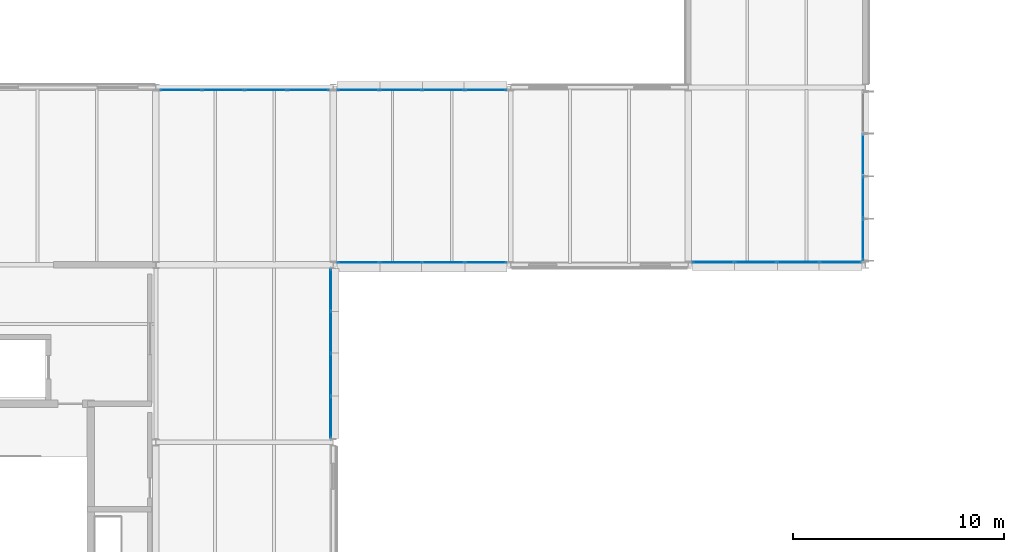
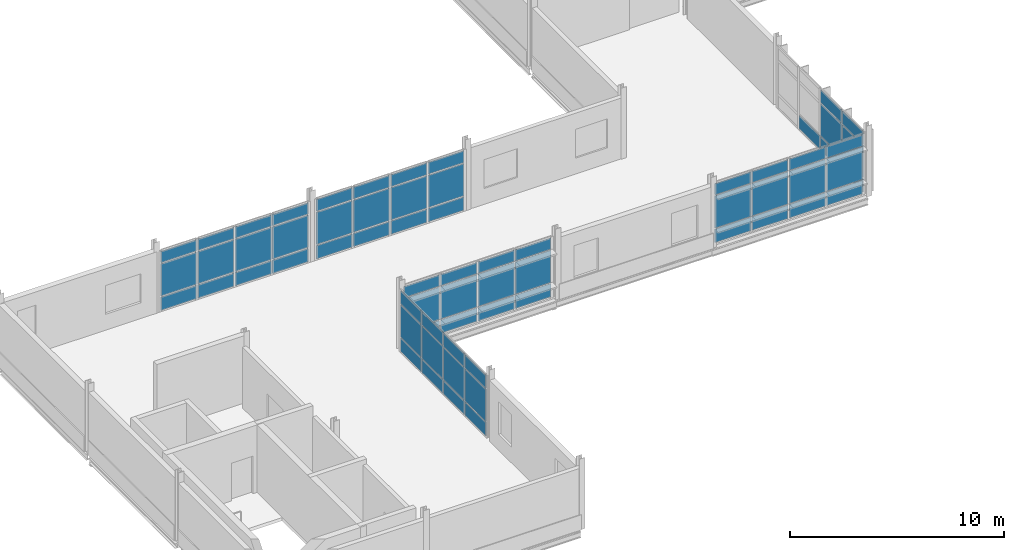
# One storey, part 74 of 103: 67 plates, 6 elements without a shape of their own.
"""IFC4 building model written with IfcOpenShell, lengths in metres."""

from ifc_helpers import new_model, si_unit, direction, frame, origin, origin_2d, place, context, subcontext, project, spatial, rectangle, extrude, material, layer, layer_set, type_object, element, aggregate, save


model = new_model("IFC4")

# Units and contexts
model_context = context("Model", 3, precision=1e-05, world=origin(), true_north=direction((0.0, 1.0)))
body_context = subcontext(model_context, "Body", "Model", "MODEL_VIEW")
ifc_project = project(units=[si_unit("LENGTHUNIT", "METRE"), si_unit("AREAUNIT", "SQUARE_METRE"), si_unit("VOLUMEUNIT", "CUBIC_METRE"), si_unit("PLANEANGLEUNIT", "RADIAN"), si_unit("MASSUNIT", "GRAM", prefix="KILO")], contexts=[model_context])

# Site, building, storey
site_placement = place(None, origin())
site = spatial("IfcSite", under=ifc_project, at=site_placement, CompositionType="ELEMENT")
building_placement = place(site_placement, origin())
building = spatial("IfcBuilding", under=site, at=building_placement, Name="Mersafa Astral City Hall", CompositionType="ELEMENT")
storey_placement = place(building_placement, frame((0.0, 0.0, 18.0)))
storey = spatial("IfcBuildingStorey", under=building, at=storey_placement, Name="L04", CompositionType="ELEMENT", Elevation=18.0)

# Curtain wall, plates
ifc_material_1 = material(Name="Anodised bronze aluminium framing", Category="aluminium")
curtain_wall_type_1 = type_object("IfcCurtainWallType", Name="ENV-CW-3", PredefinedType="USERDEFINED", material=ifc_material_1)
curtain_wall_1_placement = place(storey_placement, origin())
curtain_wall_1 = element("IfcCurtainWall", 1, at=curtain_wall_1_placement, inside=storey, type_object=curtain_wall_type_1, Name="L04 Unitised solar curtain wall 200", ObjectType="UNITISED CURTAIN WALL", PredefinedType="USERDEFINED")
ifc_material_2 = material(Name="Solar control low-e double glazing", Category="glass")
ifc_layer_1 = layer(ifc_material_2, 0.028076171875, Name="Solar control low-e double glazing")
ifc_layer_set_1 = layer_set([ifc_layer_1], Name="Solar control low-e double glazing — ENV-CW-PNL-GLZ-1")
plate_type_1 = type_object("IfcPlateType", Name="ENV-CW-PNL-GLZ-1", PredefinedType="CURTAIN_PANEL", material=ifc_layer_set_1)
plate_1_placement = place(storey_placement, frame((26.386474609375, 92.52001953125, 0.05810546875), z_axis=(0.0, 0.0, 1.0), x_axis=(1.0, 0.0, 0.0)))
plate_1 = element("IfcPlate", 2, at=plate_1_placement, type_object=plate_type_1, Name="CW-3 panel 1.1", PredefinedType="CURTAIN_PANEL", context=body_context, shape_type="SweptSolid", body=[
    extrude(rectangle(XDim=1.928955078125, YDim=0.028076171875, at=origin_2d()), origin(), (0.0, 0.0, 1.0), 0.761962890625),
])
plate_2_placement = place(storey_placement, frame((26.386474609375, 92.52001953125, 0.8798828125), z_axis=(0.0, 0.0, 1.0), x_axis=(1.0, 0.0, 0.0)))
plate_2 = element("IfcPlate", 3, at=plate_2_placement, type_object=plate_type_1, Name="CW-3 panel 1.2", PredefinedType="CURTAIN_PANEL", context=body_context, shape_type="SweptSolid", body=[
    extrude(rectangle(XDim=1.928955078125, YDim=0.028076171875, at=origin_2d()), origin(), (0.0, 0.0, 1.0), 1.840087890625),
])
plate_3_placement = place(storey_placement, frame((26.386474609375, 92.52001953125, 2.780029296875), z_axis=(0.0, 0.0, 1.0), x_axis=(1.0, 0.0, 0.0)))
plate_3 = element("IfcPlate", 4, at=plate_3_placement, type_object=plate_type_1, Name="CW-3 panel 1.3", PredefinedType="CURTAIN_PANEL", context=body_context, shape_type="SweptSolid", body=[
    extrude(rectangle(XDim=1.928955078125, YDim=0.028076171875, at=origin_2d()), origin(), (0.0, 0.0, 1.0), 0.64697265625),
])
plate_4_placement = place(storey_placement, frame((28.390380859375, 92.52001953125, 0.05810546875), z_axis=(0.0, 0.0, 1.0), x_axis=(1.0, 0.0, 0.0)))
plate_4 = element("IfcPlate", 5, at=plate_4_placement, type_object=plate_type_1, Name="CW-3 panel 2.1", PredefinedType="CURTAIN_PANEL", context=body_context, shape_type="SweptSolid", body=[
    extrude(rectangle(XDim=1.958984375, YDim=0.028076171875, at=origin_2d()), origin(), (0.0, 0.0, 1.0), 0.761962890625),
])
plate_5_placement = place(storey_placement, frame((28.390380859375, 92.52001953125, 0.8798828125), z_axis=(0.0, 0.0, 1.0), x_axis=(1.0, 0.0, 0.0)))
plate_5 = element("IfcPlate", 6, at=plate_5_placement, type_object=plate_type_1, Name="CW-3 panel 2.2", PredefinedType="CURTAIN_PANEL", context=body_context, shape_type="SweptSolid", body=[
    extrude(rectangle(XDim=1.958984375, YDim=0.028076171875, at=origin_2d()), origin(), (0.0, 0.0, 1.0), 1.840087890625),
])
plate_6_placement = place(storey_placement, frame((28.390380859375, 92.52001953125, 2.780029296875), z_axis=(0.0, 0.0, 1.0), x_axis=(1.0, 0.0, 0.0)))
plate_6 = element("IfcPlate", 7, at=plate_6_placement, type_object=plate_type_1, Name="CW-3 panel 2.3", PredefinedType="CURTAIN_PANEL", context=body_context, shape_type="SweptSolid", body=[
    extrude(rectangle(XDim=1.958984375, YDim=0.028076171875, at=origin_2d()), origin(), (0.0, 0.0, 1.0), 0.64697265625),
])
plate_7_placement = place(storey_placement, frame((30.409423828125, 92.52001953125, 0.05810546875), z_axis=(0.0, 0.0, 1.0), x_axis=(1.0, 0.0, 0.0)))
plate_7 = element("IfcPlate", 8, at=plate_7_placement, type_object=plate_type_1, Name="CW-3 panel 3.1", PredefinedType="CURTAIN_PANEL", context=body_context, shape_type="SweptSolid", body=[
    extrude(rectangle(XDim=1.958984375, YDim=0.028076171875, at=origin_2d()), origin(), (0.0, 0.0, 1.0), 0.761962890625),
])
plate_8_placement = place(storey_placement, frame((30.409423828125, 92.52001953125, 0.8798828125), z_axis=(0.0, 0.0, 1.0), x_axis=(1.0, 0.0, 0.0)))
plate_8 = element("IfcPlate", 9, at=plate_8_placement, type_object=plate_type_1, Name="CW-3 panel 3.2", PredefinedType="CURTAIN_PANEL", context=body_context, shape_type="SweptSolid", body=[
    extrude(rectangle(XDim=1.958984375, YDim=0.028076171875, at=origin_2d()), origin(), (0.0, 0.0, 1.0), 1.840087890625),
])
plate_9_placement = place(storey_placement, frame((30.409423828125, 92.52001953125, 2.780029296875), z_axis=(0.0, 0.0, 1.0), x_axis=(1.0, 0.0, 0.0)))
plate_9 = element("IfcPlate", 10, at=plate_9_placement, type_object=plate_type_1, Name="CW-3 panel 3.3", PredefinedType="CURTAIN_PANEL", context=body_context, shape_type="SweptSolid", body=[
    extrude(rectangle(XDim=1.958984375, YDim=0.028076171875, at=origin_2d()), origin(), (0.0, 0.0, 1.0), 0.64697265625),
])
plate_10_placement = place(storey_placement, frame((32.41357421875, 92.52001953125, 0.05810546875), z_axis=(0.0, 0.0, 1.0), x_axis=(1.0, 0.0, 0.0)))
plate_10 = element("IfcPlate", 11, at=plate_10_placement, type_object=plate_type_1, Name="CW-3 panel 4.1", PredefinedType="CURTAIN_PANEL", context=body_context, shape_type="SweptSolid", body=[
    extrude(rectangle(XDim=1.928955078125, YDim=0.028076171875, at=origin_2d()), origin(), (0.0, 0.0, 1.0), 0.761962890625),
])
plate_11_placement = place(storey_placement, frame((32.41357421875, 92.52001953125, 0.8798828125), z_axis=(0.0, 0.0, 1.0), x_axis=(1.0, 0.0, 0.0)))
plate_11 = element("IfcPlate", 12, at=plate_11_placement, type_object=plate_type_1, Name="CW-3 panel 4.2", PredefinedType="CURTAIN_PANEL", context=body_context, shape_type="SweptSolid", body=[
    extrude(rectangle(XDim=1.928955078125, YDim=0.028076171875, at=origin_2d()), origin(), (0.0, 0.0, 1.0), 1.840087890625),
])
plate_12_placement = place(storey_placement, frame((32.41357421875, 92.52001953125, 2.780029296875), z_axis=(0.0, 0.0, 1.0), x_axis=(1.0, 0.0, 0.0)))
plate_12 = element("IfcPlate", 13, at=plate_12_placement, type_object=plate_type_1, Name="CW-3 panel 4.3", PredefinedType="CURTAIN_PANEL", context=body_context, shape_type="SweptSolid", body=[
    extrude(rectangle(XDim=1.928955078125, YDim=0.028076171875, at=origin_2d()), origin(), (0.0, 0.0, 1.0), 0.64697265625),
])
aggregate(curtain_wall_1, [plate_1, plate_2, plate_3, plate_4, plate_5, plate_6, plate_7, plate_8, plate_9, plate_10, plate_11, plate_12])

curtain_wall_type_2 = type_object("IfcCurtainWallType", Name="ENV-CW-6", PredefinedType="USERDEFINED", material=ifc_material_1)
curtain_wall_2_placement = place(storey_placement, origin())
curtain_wall_2 = element("IfcCurtainWall", 14, at=curtain_wall_2_placement, inside=storey, type_object=curtain_wall_type_2, Name="L04 Unitised solar curtain wall 197", ObjectType="UNITISED CURTAIN WALL", PredefinedType="USERDEFINED")
ifc_layer_2 = layer(ifc_material_2, 0.031982421875, Name="Solar control low-e double glazing")
ifc_layer_set_2 = layer_set([ifc_layer_2], Name="Solar control low-e double glazing — ENV-CW-PNL-GLZ-2")
plate_type_2 = type_object("IfcPlateType", Name="ENV-CW-PNL-GLZ-2", PredefinedType="CURTAIN_PANEL", material=ifc_layer_set_2)
plate_13_placement = place(storey_placement, frame((32.41357421875, 100.679931640625, 0.05810546875), z_axis=(0.0, 0.0, 1.0), x_axis=(-1.0, 0.0, 0.0)))
plate_13 = element("IfcPlate", 15, at=plate_13_placement, type_object=plate_type_2, Name="CW-6 panel 1.1", PredefinedType="CURTAIN_PANEL", context=body_context, shape_type="SweptSolid", body=[
    extrude(rectangle(XDim=1.928955078125, YDim=0.031982421875, at=origin_2d()), origin(), (0.0, 0.0, 1.0), 0.761962890625),
])
plate_14_placement = place(storey_placement, frame((32.41357421875, 100.679931640625, 0.8798828125), z_axis=(0.0, 0.0, 1.0), x_axis=(-1.0, 0.0, 0.0)))
plate_14 = element("IfcPlate", 16, at=plate_14_placement, type_object=plate_type_2, Name="CW-6 panel 1.2", PredefinedType="CURTAIN_PANEL", context=body_context, shape_type="SweptSolid", body=[
    extrude(rectangle(XDim=1.928955078125, YDim=0.031982421875, at=origin_2d()), origin(), (0.0, 0.0, 1.0), 1.840087890625),
])
plate_15_placement = place(storey_placement, frame((32.41357421875, 100.679931640625, 2.77978515625), z_axis=(0.0, 0.0, 1.0), x_axis=(-1.0, 0.0, 0.0)))
plate_15 = element("IfcPlate", 17, at=plate_15_placement, type_object=plate_type_2, Name="CW-6 panel 1.3", PredefinedType="CURTAIN_PANEL", context=body_context, shape_type="SweptSolid", body=[
    extrude(rectangle(XDim=1.928955078125, YDim=0.031982421875, at=origin_2d()), origin(), (0.0, 0.0, 1.0), 0.677001953125),
])
plate_16_placement = place(storey_placement, frame((30.409423828125, 100.679931640625, 0.05810546875), z_axis=(0.0, 0.0, 1.0), x_axis=(-1.0, 0.0, 0.0)))
plate_16 = element("IfcPlate", 18, at=plate_16_placement, type_object=plate_type_2, Name="CW-6 panel 2.1", PredefinedType="CURTAIN_PANEL", context=body_context, shape_type="SweptSolid", body=[
    extrude(rectangle(XDim=1.958984375, YDim=0.031982421875, at=origin_2d()), origin(), (0.0, 0.0, 1.0), 0.761962890625),
])
plate_17_placement = place(storey_placement, frame((30.409423828125, 100.679931640625, 0.8798828125), z_axis=(0.0, 0.0, 1.0), x_axis=(-1.0, 0.0, 0.0)))
plate_17 = element("IfcPlate", 19, at=plate_17_placement, type_object=plate_type_2, Name="CW-6 panel 2.2", PredefinedType="CURTAIN_PANEL", context=body_context, shape_type="SweptSolid", body=[
    extrude(rectangle(XDim=1.958984375, YDim=0.031982421875, at=origin_2d()), origin(), (0.0, 0.0, 1.0), 1.840087890625),
])
plate_18_placement = place(storey_placement, frame((30.409423828125, 100.679931640625, 2.77978515625), z_axis=(0.0, 0.0, 1.0), x_axis=(-1.0, 0.0, 0.0)))
plate_18 = element("IfcPlate", 20, at=plate_18_placement, type_object=plate_type_2, Name="CW-6 panel 2.3", PredefinedType="CURTAIN_PANEL", context=body_context, shape_type="SweptSolid", body=[
    extrude(rectangle(XDim=1.958984375, YDim=0.031982421875, at=origin_2d()), origin(), (0.0, 0.0, 1.0), 0.677001953125),
])
plate_19_placement = place(storey_placement, frame((28.390380859375, 100.679931640625, 0.05810546875), z_axis=(0.0, 0.0, 1.0), x_axis=(-1.0, 0.0, 0.0)))
plate_19 = element("IfcPlate", 21, at=plate_19_placement, type_object=plate_type_2, Name="CW-6 panel 3.1", PredefinedType="CURTAIN_PANEL", context=body_context, shape_type="SweptSolid", body=[
    extrude(rectangle(XDim=1.958984375, YDim=0.031982421875, at=origin_2d()), origin(), (0.0, 0.0, 1.0), 0.761962890625),
])
plate_20_placement = place(storey_placement, frame((28.390380859375, 100.679931640625, 0.8798828125), z_axis=(0.0, 0.0, 1.0), x_axis=(-1.0, 0.0, 0.0)))
plate_20 = element("IfcPlate", 22, at=plate_20_placement, type_object=plate_type_2, Name="CW-6 panel 3.2", PredefinedType="CURTAIN_PANEL", context=body_context, shape_type="SweptSolid", body=[
    extrude(rectangle(XDim=1.958984375, YDim=0.031982421875, at=origin_2d()), origin(), (0.0, 0.0, 1.0), 1.840087890625),
])
plate_21_placement = place(storey_placement, frame((28.390380859375, 100.679931640625, 2.77978515625), z_axis=(0.0, 0.0, 1.0), x_axis=(-1.0, 0.0, 0.0)))
plate_21 = element("IfcPlate", 23, at=plate_21_placement, type_object=plate_type_2, Name="CW-6 panel 3.3", PredefinedType="CURTAIN_PANEL", context=body_context, shape_type="SweptSolid", body=[
    extrude(rectangle(XDim=1.958984375, YDim=0.031982421875, at=origin_2d()), origin(), (0.0, 0.0, 1.0), 0.677001953125),
])
plate_22_placement = place(storey_placement, frame((26.386474609375, 100.679931640625, 0.05810546875), z_axis=(0.0, 0.0, 1.0), x_axis=(-1.0, 0.0, 0.0)))
plate_22 = element("IfcPlate", 24, at=plate_22_placement, type_object=plate_type_2, Name="CW-6 panel 4.1", PredefinedType="CURTAIN_PANEL", context=body_context, shape_type="SweptSolid", body=[
    extrude(rectangle(XDim=1.928955078125, YDim=0.031982421875, at=origin_2d()), origin(), (0.0, 0.0, 1.0), 0.761962890625),
])
plate_23_placement = place(storey_placement, frame((26.386474609375, 100.679931640625, 0.8798828125), z_axis=(0.0, 0.0, 1.0), x_axis=(-1.0, 0.0, 0.0)))
plate_23 = element("IfcPlate", 25, at=plate_23_placement, type_object=plate_type_2, Name="CW-6 panel 4.2", PredefinedType="CURTAIN_PANEL", context=body_context, shape_type="SweptSolid", body=[
    extrude(rectangle(XDim=1.928955078125, YDim=0.031982421875, at=origin_2d()), origin(), (0.0, 0.0, 1.0), 1.840087890625),
])
plate_24_placement = place(storey_placement, frame((26.386474609375, 100.679931640625, 2.77978515625), z_axis=(0.0, 0.0, 1.0), x_axis=(-1.0, 0.0, 0.0)))
plate_24 = element("IfcPlate", 26, at=plate_24_placement, type_object=plate_type_2, Name="CW-6 panel 4.3", PredefinedType="CURTAIN_PANEL", context=body_context, shape_type="SweptSolid", body=[
    extrude(rectangle(XDim=1.928955078125, YDim=0.031982421875, at=origin_2d()), origin(), (0.0, 0.0, 1.0), 0.677001953125),
])
aggregate(curtain_wall_2, [plate_13, plate_14, plate_15, plate_16, plate_17, plate_18, plate_19, plate_20, plate_21, plate_22, plate_23, plate_24])

curtain_wall_type_3 = type_object("IfcCurtainWallType", Name="ENV-CW-4", PredefinedType="USERDEFINED", material=ifc_material_1)
curtain_wall_3_placement = place(storey_placement, origin())
curtain_wall_3 = element("IfcCurtainWall", 27, at=curtain_wall_3_placement, inside=storey, type_object=curtain_wall_type_3, Name="L04 Unitised solar curtain wall 201", ObjectType="UNITISED CURTAIN WALL", PredefinedType="USERDEFINED")
plate_25_placement = place(storey_placement, frame((43.1865234375, 92.52001953125, 0.05810546875), z_axis=(0.0, 0.0, 1.0), x_axis=(1.0, 0.0, 0.0)))
plate_25 = element("IfcPlate", 28, at=plate_25_placement, type_object=plate_type_2, Name="CW-4 panel 1.1", PredefinedType="CURTAIN_PANEL", context=body_context, shape_type="SweptSolid", body=[
    extrude(rectangle(XDim=1.928955078125, YDim=0.031982421875, at=origin_2d()), origin(), (0.0, 0.0, 1.0), 0.761962890625),
])
plate_26_placement = place(storey_placement, frame((43.1865234375, 92.52001953125, 0.8798828125), z_axis=(0.0, 0.0, 1.0), x_axis=(1.0, 0.0, 0.0)))
plate_26 = element("IfcPlate", 29, at=plate_26_placement, type_object=plate_type_2, Name="CW-4 panel 1.2", PredefinedType="CURTAIN_PANEL", context=body_context, shape_type="SweptSolid", body=[
    extrude(rectangle(XDim=1.928955078125, YDim=0.031982421875, at=origin_2d()), origin(), (0.0, 0.0, 1.0), 1.840087890625),
])
plate_27_placement = place(storey_placement, frame((43.1865234375, 92.52001953125, 2.780029296875), z_axis=(0.0, 0.0, 1.0), x_axis=(1.0, 0.0, 0.0)))
plate_27 = element("IfcPlate", 30, at=plate_27_placement, type_object=plate_type_2, Name="CW-4 panel 1.3", PredefinedType="CURTAIN_PANEL", context=body_context, shape_type="SweptSolid", body=[
    extrude(rectangle(XDim=1.928955078125, YDim=0.031982421875, at=origin_2d()), origin(), (0.0, 0.0, 1.0), 0.64697265625),
])
plate_28_placement = place(storey_placement, frame((45.1904296875, 92.52001953125, 0.05810546875), z_axis=(0.0, 0.0, 1.0), x_axis=(1.0, 0.0, 0.0)))
plate_28 = element("IfcPlate", 31, at=plate_28_placement, type_object=plate_type_2, Name="CW-4 panel 2.1", PredefinedType="CURTAIN_PANEL", context=body_context, shape_type="SweptSolid", body=[
    extrude(rectangle(XDim=1.958984375, YDim=0.031982421875, at=origin_2d()), origin(), (0.0, 0.0, 1.0), 0.761962890625),
])
plate_29_placement = place(storey_placement, frame((45.1904296875, 92.52001953125, 0.8798828125), z_axis=(0.0, 0.0, 1.0), x_axis=(1.0, 0.0, 0.0)))
plate_29 = element("IfcPlate", 32, at=plate_29_placement, type_object=plate_type_2, Name="CW-4 panel 2.2", PredefinedType="CURTAIN_PANEL", context=body_context, shape_type="SweptSolid", body=[
    extrude(rectangle(XDim=1.958984375, YDim=0.031982421875, at=origin_2d()), origin(), (0.0, 0.0, 1.0), 1.840087890625),
])
plate_30_placement = place(storey_placement, frame((45.1904296875, 92.52001953125, 2.780029296875), z_axis=(0.0, 0.0, 1.0), x_axis=(1.0, 0.0, 0.0)))
plate_30 = element("IfcPlate", 33, at=plate_30_placement, type_object=plate_type_2, Name="CW-4 panel 2.3", PredefinedType="CURTAIN_PANEL", context=body_context, shape_type="SweptSolid", body=[
    extrude(rectangle(XDim=1.958984375, YDim=0.031982421875, at=origin_2d()), origin(), (0.0, 0.0, 1.0), 0.64697265625),
])
plate_31_placement = place(storey_placement, frame((47.20947265625, 92.52001953125, 0.05810546875), z_axis=(0.0, 0.0, 1.0), x_axis=(1.0, 0.0, 0.0)))
plate_31 = element("IfcPlate", 34, at=plate_31_placement, type_object=plate_type_2, Name="CW-4 panel 3.1", PredefinedType="CURTAIN_PANEL", context=body_context, shape_type="SweptSolid", body=[
    extrude(rectangle(XDim=1.958984375, YDim=0.031982421875, at=origin_2d()), origin(), (0.0, 0.0, 1.0), 0.761962890625),
])
plate_32_placement = place(storey_placement, frame((47.20947265625, 92.52001953125, 0.8798828125), z_axis=(0.0, 0.0, 1.0), x_axis=(1.0, 0.0, 0.0)))
plate_32 = element("IfcPlate", 35, at=plate_32_placement, type_object=plate_type_2, Name="CW-4 panel 3.2", PredefinedType="CURTAIN_PANEL", context=body_context, shape_type="SweptSolid", body=[
    extrude(rectangle(XDim=1.958984375, YDim=0.031982421875, at=origin_2d()), origin(), (0.0, 0.0, 1.0), 1.840087890625),
])
plate_33_placement = place(storey_placement, frame((47.20947265625, 92.52001953125, 2.780029296875), z_axis=(0.0, 0.0, 1.0), x_axis=(1.0, 0.0, 0.0)))
plate_33 = element("IfcPlate", 36, at=plate_33_placement, type_object=plate_type_2, Name="CW-4 panel 3.3", PredefinedType="CURTAIN_PANEL", context=body_context, shape_type="SweptSolid", body=[
    extrude(rectangle(XDim=1.958984375, YDim=0.031982421875, at=origin_2d()), origin(), (0.0, 0.0, 1.0), 0.64697265625),
])
plate_34_placement = place(storey_placement, frame((49.21337890625, 92.52001953125, 0.05810546875), z_axis=(0.0, 0.0, 1.0), x_axis=(1.0, 0.0, 0.0)))
plate_34 = element("IfcPlate", 37, at=plate_34_placement, type_object=plate_type_2, Name="CW-4 panel 4.1", PredefinedType="CURTAIN_PANEL", context=body_context, shape_type="SweptSolid", body=[
    extrude(rectangle(XDim=1.928955078125, YDim=0.031982421875, at=origin_2d()), origin(), (0.0, 0.0, 1.0), 0.761962890625),
])
plate_35_placement = place(storey_placement, frame((49.21337890625, 92.52001953125, 0.8798828125), z_axis=(0.0, 0.0, 1.0), x_axis=(1.0, 0.0, 0.0)))
plate_35 = element("IfcPlate", 38, at=plate_35_placement, type_object=plate_type_2, Name="CW-4 panel 4.2", PredefinedType="CURTAIN_PANEL", context=body_context, shape_type="SweptSolid", body=[
    extrude(rectangle(XDim=1.928955078125, YDim=0.031982421875, at=origin_2d()), origin(), (0.0, 0.0, 1.0), 1.840087890625),
])
plate_36_placement = place(storey_placement, frame((49.21337890625, 92.52001953125, 2.780029296875), z_axis=(0.0, 0.0, 1.0), x_axis=(1.0, 0.0, 0.0)))
plate_36 = element("IfcPlate", 39, at=plate_36_placement, type_object=plate_type_2, Name="CW-4 panel 4.3", PredefinedType="CURTAIN_PANEL", context=body_context, shape_type="SweptSolid", body=[
    extrude(rectangle(XDim=1.928955078125, YDim=0.031982421875, at=origin_2d()), origin(), (0.0, 0.0, 1.0), 0.64697265625),
])
aggregate(curtain_wall_3, [plate_25, plate_26, plate_27, plate_28, plate_29, plate_30, plate_31, plate_32, plate_33, plate_34, plate_35, plate_36])

curtain_wall_type_4 = type_object("IfcCurtainWallType", Name="ENV-CW-1", PredefinedType="USERDEFINED", material=ifc_material_1)
curtain_wall_4_placement = place(storey_placement, origin())
curtain_wall_4 = element("IfcCurtainWall", 40, at=curtain_wall_4_placement, inside=storey, type_object=curtain_wall_type_4, Name="L04 Unitised solar curtain wall 198", ObjectType="UNITISED CURTAIN WALL", PredefinedType="USERDEFINED")
ifc_layer_3 = layer(ifc_material_2, 0.035888671875, Name="Solar control low-e double glazing")
ifc_layer_set_3 = layer_set([ifc_layer_3], Name="Solar control low-e double glazing — ENV-CW-PNL-GLZ-3")
plate_type_3 = type_object("IfcPlateType", Name="ENV-CW-PNL-GLZ-3", PredefinedType="CURTAIN_PANEL", material=ifc_layer_set_3)
plate_37_placement = place(storey_placement, frame((24.013427734375, 100.679931640625, 0.05810546875), z_axis=(0.0, 0.0, 1.0), x_axis=(-1.0, 0.0, 0.0)))
plate_37 = element("IfcPlate", 41, at=plate_37_placement, type_object=plate_type_3, Name="CW-1 panel 1.1", PredefinedType="CURTAIN_PANEL", context=body_context, shape_type="SweptSolid", body=[
    extrude(rectangle(XDim=1.928955078125, YDim=0.035888671875, at=origin_2d()), origin(), (0.0, 0.0, 1.0), 0.761962890625),
])
plate_38_placement = place(storey_placement, frame((24.013427734375, 100.679931640625, 0.8798828125), z_axis=(0.0, 0.0, 1.0), x_axis=(-1.0, 0.0, 0.0)))
plate_38 = element("IfcPlate", 42, at=plate_38_placement, type_object=plate_type_3, Name="CW-1 panel 1.2", PredefinedType="CURTAIN_PANEL", context=body_context, shape_type="SweptSolid", body=[
    extrude(rectangle(XDim=1.928955078125, YDim=0.035888671875, at=origin_2d()), origin(), (0.0, 0.0, 1.0), 1.840087890625),
])
plate_39_placement = place(storey_placement, frame((24.013427734375, 100.679931640625, 2.780029296875), z_axis=(0.0, 0.0, 1.0), x_axis=(-1.0, 0.0, 0.0)))
plate_39 = element("IfcPlate", 43, at=plate_39_placement, type_object=plate_type_3, Name="CW-1 panel 1.3", PredefinedType="CURTAIN_PANEL", context=body_context, shape_type="SweptSolid", body=[
    extrude(rectangle(XDim=1.928955078125, YDim=0.035888671875, at=origin_2d()), origin(), (0.0, 0.0, 1.0), 0.64697265625),
])
plate_40_placement = place(storey_placement, frame((22.009521484375, 100.679931640625, 0.05810546875), z_axis=(0.0, 0.0, 1.0), x_axis=(-1.0, 0.0, 0.0)))
plate_40 = element("IfcPlate", 44, at=plate_40_placement, type_object=plate_type_3, Name="CW-1 panel 2.1", PredefinedType="CURTAIN_PANEL", context=body_context, shape_type="SweptSolid", body=[
    extrude(rectangle(XDim=1.958984375, YDim=0.035888671875, at=origin_2d()), origin(), (0.0, 0.0, 1.0), 0.761962890625),
])
plate_41_placement = place(storey_placement, frame((22.009521484375, 100.679931640625, 0.8798828125), z_axis=(0.0, 0.0, 1.0), x_axis=(-1.0, 0.0, 0.0)))
plate_41 = element("IfcPlate", 45, at=plate_41_placement, type_object=plate_type_3, Name="CW-1 panel 2.2", PredefinedType="CURTAIN_PANEL", context=body_context, shape_type="SweptSolid", body=[
    extrude(rectangle(XDim=1.958984375, YDim=0.035888671875, at=origin_2d()), origin(), (0.0, 0.0, 1.0), 1.840087890625),
])
plate_42_placement = place(storey_placement, frame((22.009521484375, 100.679931640625, 2.780029296875), z_axis=(0.0, 0.0, 1.0), x_axis=(-1.0, 0.0, 0.0)))
plate_42 = element("IfcPlate", 46, at=plate_42_placement, type_object=plate_type_3, Name="CW-1 panel 2.3", PredefinedType="CURTAIN_PANEL", context=body_context, shape_type="SweptSolid", body=[
    extrude(rectangle(XDim=1.958984375, YDim=0.035888671875, at=origin_2d()), origin(), (0.0, 0.0, 1.0), 0.64697265625),
])
plate_43_placement = place(storey_placement, frame((19.990478515625, 100.679931640625, 0.05810546875), z_axis=(0.0, 0.0, 1.0), x_axis=(-1.0, 0.0, 0.0)))
plate_43 = element("IfcPlate", 47, at=plate_43_placement, type_object=plate_type_3, Name="CW-1 panel 3.1", PredefinedType="CURTAIN_PANEL", context=body_context, shape_type="SweptSolid", body=[
    extrude(rectangle(XDim=1.958984375, YDim=0.035888671875, at=origin_2d()), origin(), (0.0, 0.0, 1.0), 0.761962890625),
])
plate_44_placement = place(storey_placement, frame((19.990478515625, 100.679931640625, 0.8798828125), z_axis=(0.0, 0.0, 1.0), x_axis=(-1.0, 0.0, 0.0)))
plate_44 = element("IfcPlate", 48, at=plate_44_placement, type_object=plate_type_3, Name="CW-1 panel 3.2", PredefinedType="CURTAIN_PANEL", context=body_context, shape_type="SweptSolid", body=[
    extrude(rectangle(XDim=1.958984375, YDim=0.035888671875, at=origin_2d()), origin(), (0.0, 0.0, 1.0), 1.840087890625),
])
plate_45_placement = place(storey_placement, frame((19.990478515625, 100.679931640625, 2.780029296875), z_axis=(0.0, 0.0, 1.0), x_axis=(-1.0, 0.0, 0.0)))
plate_45 = element("IfcPlate", 49, at=plate_45_placement, type_object=plate_type_3, Name="CW-1 panel 3.3", PredefinedType="CURTAIN_PANEL", context=body_context, shape_type="SweptSolid", body=[
    extrude(rectangle(XDim=1.958984375, YDim=0.035888671875, at=origin_2d()), origin(), (0.0, 0.0, 1.0), 0.64697265625),
])
plate_46_placement = place(storey_placement, frame((17.986572265625, 100.679931640625, 0.05810546875), z_axis=(0.0, 0.0, 1.0), x_axis=(-1.0, 0.0, 0.0)))
plate_46 = element("IfcPlate", 50, at=plate_46_placement, type_object=plate_type_3, Name="CW-1 panel 4.1", PredefinedType="CURTAIN_PANEL", context=body_context, shape_type="SweptSolid", body=[
    extrude(rectangle(XDim=1.928955078125, YDim=0.035888671875, at=origin_2d()), origin(), (0.0, 0.0, 1.0), 0.761962890625),
])
plate_47_placement = place(storey_placement, frame((17.986572265625, 100.679931640625, 0.8798828125), z_axis=(0.0, 0.0, 1.0), x_axis=(-1.0, 0.0, 0.0)))
plate_47 = element("IfcPlate", 51, at=plate_47_placement, type_object=plate_type_3, Name="CW-1 panel 4.2", PredefinedType="CURTAIN_PANEL", context=body_context, shape_type="SweptSolid", body=[
    extrude(rectangle(XDim=1.928955078125, YDim=0.035888671875, at=origin_2d()), origin(), (0.0, 0.0, 1.0), 1.840087890625),
])
plate_48_placement = place(storey_placement, frame((17.986572265625, 100.679931640625, 2.780029296875), z_axis=(0.0, 0.0, 1.0), x_axis=(-1.0, 0.0, 0.0)))
plate_48 = element("IfcPlate", 52, at=plate_48_placement, type_object=plate_type_3, Name="CW-1 panel 4.3", PredefinedType="CURTAIN_PANEL", context=body_context, shape_type="SweptSolid", body=[
    extrude(rectangle(XDim=1.928955078125, YDim=0.035888671875, at=origin_2d()), origin(), (0.0, 0.0, 1.0), 0.64697265625),
])
aggregate(curtain_wall_4, [plate_37, plate_38, plate_39, plate_40, plate_41, plate_42, plate_43, plate_44, plate_45, plate_46, plate_47, plate_48])

curtain_wall_type_5 = type_object("IfcCurtainWallType", Name="ENV-CW-5", PredefinedType="USERDEFINED", material=ifc_material_1)
curtain_wall_5_placement = place(storey_placement, origin())
curtain_wall_5 = element("IfcCurtainWall", 53, at=curtain_wall_5_placement, inside=storey, type_object=curtain_wall_type_5, Name="L04 Unitised solar curtain wall 202", ObjectType="UNITISED CURTAIN WALL", PredefinedType="USERDEFINED")
plate_49_placement = place(storey_placement, frame((50.280029296875, 93.58642578125, 0.05810546875), z_axis=(0.0, 0.0, 1.0), x_axis=(0.0, 1.0, 0.0)))
plate_49 = element("IfcPlate", 54, at=plate_49_placement, type_object=plate_type_3, Name="CW-5 panel 1.1", PredefinedType="CURTAIN_PANEL", context=body_context, shape_type="SweptSolid", body=[
    extrude(rectangle(XDim=1.928955078125, YDim=0.035888671875, at=origin_2d()), origin(), (0.0, 0.0, 1.0), 0.761962890625),
])
plate_50_placement = place(storey_placement, frame((50.280029296875, 93.58642578125, 0.8798828125), z_axis=(0.0, 0.0, 1.0), x_axis=(0.0, 1.0, 0.0)))
plate_50 = element("IfcPlate", 55, at=plate_50_placement, type_object=plate_type_3, Name="CW-5 panel 1.2", PredefinedType="CURTAIN_PANEL", context=body_context, shape_type="SweptSolid", body=[
    extrude(rectangle(XDim=1.928955078125, YDim=0.035888671875, at=origin_2d()), origin(), (0.0, 0.0, 1.0), 1.840087890625),
])
plate_51_placement = place(storey_placement, frame((50.280029296875, 93.58642578125, 2.77978515625), z_axis=(0.0, 0.0, 1.0), x_axis=(0.0, 1.0, 0.0)))
plate_51 = element("IfcPlate", 56, at=plate_51_placement, type_object=plate_type_3, Name="CW-5 panel 1.3", PredefinedType="CURTAIN_PANEL", context=body_context, shape_type="SweptSolid", body=[
    extrude(rectangle(XDim=1.928955078125, YDim=0.035888671875, at=origin_2d()), origin(), (0.0, 0.0, 1.0), 0.737060546875),
])
plate_52_placement = place(storey_placement, frame((50.280029296875, 95.590576171875, 0.05810546875), z_axis=(0.0, 0.0, 1.0), x_axis=(0.0, 1.0, 0.0)))
plate_52 = element("IfcPlate", 57, at=plate_52_placement, type_object=plate_type_3, Name="CW-5 panel 2.1", PredefinedType="CURTAIN_PANEL", context=body_context, shape_type="SweptSolid", body=[
    extrude(rectangle(XDim=1.958984375, YDim=0.035888671875, at=origin_2d()), origin(), (0.0, 0.0, 1.0), 0.761962890625),
])
plate_53_placement = place(storey_placement, frame((50.280029296875, 95.590576171875, 0.8798828125), z_axis=(0.0, 0.0, 1.0), x_axis=(0.0, 1.0, 0.0)))
plate_53 = element("IfcPlate", 58, at=plate_53_placement, type_object=plate_type_3, Name="CW-5 panel 2.2", PredefinedType="CURTAIN_PANEL", context=body_context, shape_type="SweptSolid", body=[
    extrude(rectangle(XDim=1.958984375, YDim=0.035888671875, at=origin_2d()), origin(), (0.0, 0.0, 1.0), 1.840087890625),
])
plate_54_placement = place(storey_placement, frame((50.280029296875, 95.590576171875, 2.77978515625), z_axis=(0.0, 0.0, 1.0), x_axis=(0.0, 1.0, 0.0)))
plate_54 = element("IfcPlate", 59, at=plate_54_placement, type_object=plate_type_3, Name="CW-5 panel 2.3", PredefinedType="CURTAIN_PANEL", context=body_context, shape_type="SweptSolid", body=[
    extrude(rectangle(XDim=1.958984375, YDim=0.035888671875, at=origin_2d()), origin(), (0.0, 0.0, 1.0), 0.737060546875),
])
plate_55_placement = place(storey_placement, frame((50.280029296875, 97.609619140625, 0.05810546875), z_axis=(0.0, 0.0, 1.0), x_axis=(0.0, 1.0, 0.0)))
plate_55 = element("IfcPlate", 60, at=plate_55_placement, type_object=plate_type_3, Name="CW-5 panel 3.1", PredefinedType="CURTAIN_PANEL", context=body_context, shape_type="SweptSolid", body=[
    extrude(rectangle(XDim=1.958984375, YDim=0.035888671875, at=origin_2d()), origin(), (0.0, 0.0, 1.0), 0.761962890625),
])
aggregate(curtain_wall_5, [plate_49, plate_50, plate_51, plate_52, plate_53, plate_54, plate_55])

curtain_wall_type_6 = type_object("IfcCurtainWallType", Name="ENV-CW-2", PredefinedType="USERDEFINED", material=ifc_material_1)
curtain_wall_6_placement = place(storey_placement, origin())
curtain_wall_6 = element("IfcCurtainWall", 61, at=curtain_wall_6_placement, inside=storey, type_object=curtain_wall_type_6, Name="L04 Unitised solar curtain wall 199", ObjectType="UNITISED CURTAIN WALL", PredefinedType="USERDEFINED")
ifc_layer_4 = layer(ifc_material_2, 0.0400390625, Name="Solar control low-e double glazing")
ifc_layer_set_4 = layer_set([ifc_layer_4], Name="Solar control low-e double glazing — ENV-CW-PNL-GLZ-4")
plate_type_4 = type_object("IfcPlateType", Name="ENV-CW-PNL-GLZ-4", PredefinedType="CURTAIN_PANEL", material=ifc_layer_set_4)
plate_56_placement = place(storey_placement, frame((25.080078125, 85.1865234375, 0.05810546875), z_axis=(0.0, 0.0, 1.0), x_axis=(0.0, 1.0, 0.0)))
plate_56 = element("IfcPlate", 62, at=plate_56_placement, type_object=plate_type_4, Name="CW-2 panel 1.1", PredefinedType="CURTAIN_PANEL", context=body_context, shape_type="SweptSolid", body=[
    extrude(rectangle(XDim=1.928955078125, YDim=0.0400390625, at=origin_2d()), origin(), (0.0, 0.0, 1.0), 0.761962890625),
])
plate_57_placement = place(storey_placement, frame((25.080078125, 85.1865234375, 0.8798828125), z_axis=(0.0, 0.0, 1.0), x_axis=(0.0, 1.0, 0.0)))
plate_57 = element("IfcPlate", 63, at=plate_57_placement, type_object=plate_type_4, Name="CW-2 panel 1.2", PredefinedType="CURTAIN_PANEL", context=body_context, shape_type="SweptSolid", body=[
    extrude(rectangle(XDim=1.928955078125, YDim=0.0400390625, at=origin_2d()), origin(), (0.0, 0.0, 1.0), 1.840087890625),
])
plate_58_placement = place(storey_placement, frame((25.080078125, 85.1865234375, 2.77978515625), z_axis=(0.0, 0.0, 1.0), x_axis=(0.0, 1.0, 0.0)))
plate_58 = element("IfcPlate", 64, at=plate_58_placement, type_object=plate_type_4, Name="CW-2 panel 1.3", PredefinedType="CURTAIN_PANEL", context=body_context, shape_type="SweptSolid", body=[
    extrude(rectangle(XDim=1.928955078125, YDim=0.0400390625, at=origin_2d()), origin(), (0.0, 0.0, 1.0), 0.737060546875),
])
plate_59_placement = place(storey_placement, frame((25.080078125, 87.1904296875, 0.05810546875), z_axis=(0.0, 0.0, 1.0), x_axis=(0.0, 1.0, 0.0)))
plate_59 = element("IfcPlate", 65, at=plate_59_placement, type_object=plate_type_4, Name="CW-2 panel 2.1", PredefinedType="CURTAIN_PANEL", context=body_context, shape_type="SweptSolid", body=[
    extrude(rectangle(XDim=1.958984375, YDim=0.0400390625, at=origin_2d()), origin(), (0.0, 0.0, 1.0), 0.761962890625),
])
plate_60_placement = place(storey_placement, frame((25.080078125, 87.1904296875, 0.8798828125), z_axis=(0.0, 0.0, 1.0), x_axis=(0.0, 1.0, 0.0)))
plate_60 = element("IfcPlate", 66, at=plate_60_placement, type_object=plate_type_4, Name="CW-2 panel 2.2", PredefinedType="CURTAIN_PANEL", context=body_context, shape_type="SweptSolid", body=[
    extrude(rectangle(XDim=1.958984375, YDim=0.0400390625, at=origin_2d()), origin(), (0.0, 0.0, 1.0), 1.840087890625),
])
plate_61_placement = place(storey_placement, frame((25.080078125, 87.1904296875, 2.77978515625), z_axis=(0.0, 0.0, 1.0), x_axis=(0.0, 1.0, 0.0)))
plate_61 = element("IfcPlate", 67, at=plate_61_placement, type_object=plate_type_4, Name="CW-2 panel 2.3", PredefinedType="CURTAIN_PANEL", context=body_context, shape_type="SweptSolid", body=[
    extrude(rectangle(XDim=1.958984375, YDim=0.0400390625, at=origin_2d()), origin(), (0.0, 0.0, 1.0), 0.737060546875),
])
plate_62_placement = place(storey_placement, frame((25.080078125, 89.20947265625, 0.05810546875), z_axis=(0.0, 0.0, 1.0), x_axis=(0.0, 1.0, 0.0)))
plate_62 = element("IfcPlate", 68, at=plate_62_placement, type_object=plate_type_4, Name="CW-2 panel 3.1", PredefinedType="CURTAIN_PANEL", context=body_context, shape_type="SweptSolid", body=[
    extrude(rectangle(XDim=1.958984375, YDim=0.0400390625, at=origin_2d()), origin(), (0.0, 0.0, 1.0), 0.761962890625),
])
plate_63_placement = place(storey_placement, frame((25.080078125, 89.20947265625, 0.8798828125), z_axis=(0.0, 0.0, 1.0), x_axis=(0.0, 1.0, 0.0)))
plate_63 = element("IfcPlate", 69, at=plate_63_placement, type_object=plate_type_4, Name="CW-2 panel 3.2", PredefinedType="CURTAIN_PANEL", context=body_context, shape_type="SweptSolid", body=[
    extrude(rectangle(XDim=1.958984375, YDim=0.0400390625, at=origin_2d()), origin(), (0.0, 0.0, 1.0), 1.840087890625),
])
plate_64_placement = place(storey_placement, frame((25.080078125, 89.20947265625, 2.77978515625), z_axis=(0.0, 0.0, 1.0), x_axis=(0.0, 1.0, 0.0)))
plate_64 = element("IfcPlate", 70, at=plate_64_placement, type_object=plate_type_4, Name="CW-2 panel 3.3", PredefinedType="CURTAIN_PANEL", context=body_context, shape_type="SweptSolid", body=[
    extrude(rectangle(XDim=1.958984375, YDim=0.0400390625, at=origin_2d()), origin(), (0.0, 0.0, 1.0), 0.737060546875),
])
plate_65_placement = place(storey_placement, frame((25.080078125, 91.21337890625, 0.05810546875), z_axis=(0.0, 0.0, 1.0), x_axis=(0.0, 1.0, 0.0)))
plate_65 = element("IfcPlate", 71, at=plate_65_placement, type_object=plate_type_4, Name="CW-2 panel 4.1", PredefinedType="CURTAIN_PANEL", context=body_context, shape_type="SweptSolid", body=[
    extrude(rectangle(XDim=1.928955078125, YDim=0.0400390625, at=origin_2d()), origin(), (0.0, 0.0, 1.0), 0.761962890625),
])
plate_66_placement = place(storey_placement, frame((25.080078125, 91.21337890625, 0.8798828125), z_axis=(0.0, 0.0, 1.0), x_axis=(0.0, 1.0, 0.0)))
plate_66 = element("IfcPlate", 72, at=plate_66_placement, type_object=plate_type_4, Name="CW-2 panel 4.2", PredefinedType="CURTAIN_PANEL", context=body_context, shape_type="SweptSolid", body=[
    extrude(rectangle(XDim=1.928955078125, YDim=0.0400390625, at=origin_2d()), origin(), (0.0, 0.0, 1.0), 1.840087890625),
])
plate_67_placement = place(storey_placement, frame((25.080078125, 91.21337890625, 2.77978515625), z_axis=(0.0, 0.0, 1.0), x_axis=(0.0, 1.0, 0.0)))
plate_67 = element("IfcPlate", 73, at=plate_67_placement, type_object=plate_type_4, Name="CW-2 panel 4.3", PredefinedType="CURTAIN_PANEL", context=body_context, shape_type="SweptSolid", body=[
    extrude(rectangle(XDim=1.928955078125, YDim=0.0400390625, at=origin_2d()), origin(), (0.0, 0.0, 1.0), 0.737060546875),
])
aggregate(curtain_wall_6, [plate_56, plate_57, plate_58, plate_59, plate_60, plate_61, plate_62, plate_63, plate_64, plate_65, plate_66, plate_67])

save(model, "model.ifc")
